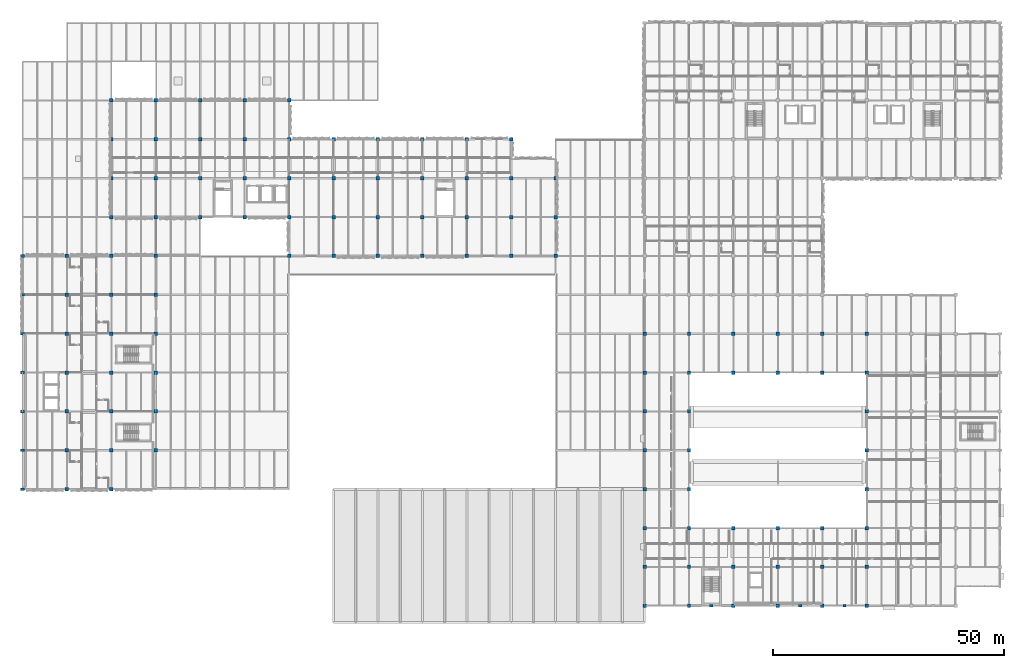
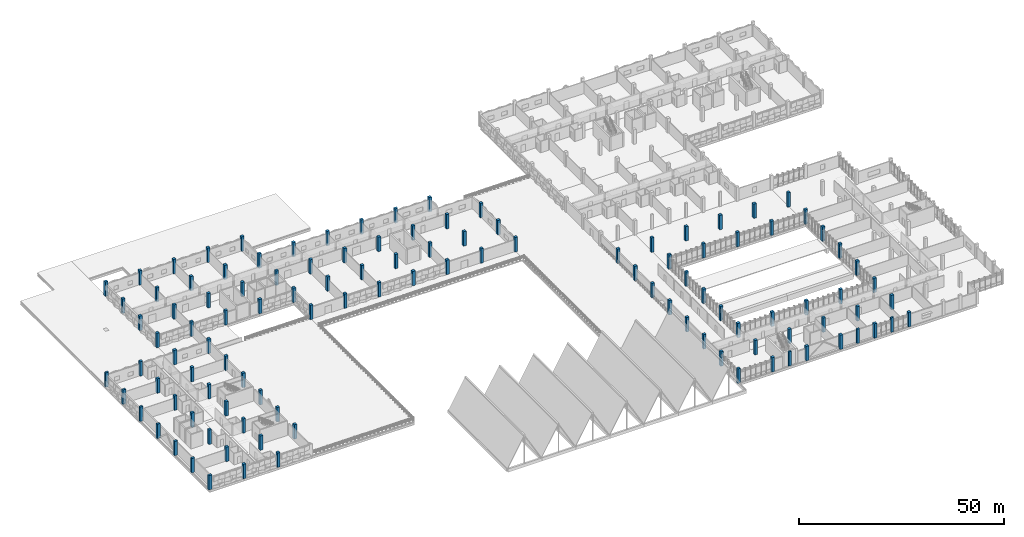
# One storey, part 1 of 86: 113 columns.
"""IFC4 building model written with IfcOpenShell, lengths in metres."""

from ifc_helpers import new_model, si_unit, direction, frame, origin, origin_2d, place, context, subcontext, project, spatial, rectangle, extrude, material, material_profile, profile_set, type_object, element, save


model = new_model("IFC4")

# Units and contexts
model_context = context("Model", 3, precision=1e-05, world=origin(), true_north=direction((0.0, 1.0)))
body_context = subcontext(model_context, "Body", "Model", "MODEL_VIEW")
ifc_project = project(units=[si_unit("LENGTHUNIT", "METRE"), si_unit("AREAUNIT", "SQUARE_METRE"), si_unit("VOLUMEUNIT", "CUBIC_METRE"), si_unit("PLANEANGLEUNIT", "RADIAN"), si_unit("MASSUNIT", "GRAM", prefix="KILO")], contexts=[model_context])

# Site, building, storey
site_placement = place(None, origin())
site = spatial("IfcSite", under=ifc_project, at=site_placement, CompositionType="ELEMENT")
building_placement = place(site_placement, origin())
building = spatial("IfcBuilding", under=site, at=building_placement, Name="Oolite Switchyard Hospital", CompositionType="ELEMENT")
storey_placement = place(building_placement, frame((0.0, 0.0, 13.5)))
storey = spatial("IfcBuildingStorey", under=building, at=storey_placement, Name="L03", CompositionType="ELEMENT", Elevation=13.5)

# Columns
ifc_material_1 = material(Name="Concrete C50/60", Category="concrete")
ifc_material_profile_1 = material_profile(ifc_material_1, rectangle(XDim=0.75, YDim=0.75, at=origin_2d()), Name="RC750X750")
ifc_profile_set_1 = profile_set([ifc_material_profile_1], Name="Concrete C50/60")
column_type_1 = type_object("IfcColumnType", Name="COL-RC750", PredefinedType="COLUMN", material=ifc_profile_set_1)
for number, where, z_axis, x_axis, name in (
    (1, (9.60009765625, 33.60009765625, 0.0), (0.0, 0.0, 1.0), (1.0, 0.0, 0.0), "L03 Column 939"),
    (2, (9.60009765625, 42.0, 0.0), (0.0, 0.0, 1.0), (1.0, 0.0, 0.0), "L03 Column 940"),
    (3, (9.60009765625, 50.39990234375, 0.0), (0.0, 0.0, 1.0), (1.0, 0.0, 0.0), "L03 Column 941"),
    (4, (9.60009765625, 58.800048828125, 0.0), (0.0, 0.0, 1.0), (1.0, 0.0, 0.0), "L03 Column 942"),
    (5, (9.60009765625, 67.199951171875, 0.0), (0.0, 0.0, 1.0), (1.0, 0.0, 0.0), "L03 Column 943"),
    (6, (9.60009765625, 75.60009765625, 0.0), (0.0, 0.0, 1.0), (1.0, 0.0, 0.0), "L03 Column 944"),
    (7, (9.60009765625, 84.0, 0.0), (0.0, 0.0, 1.0), (1.0, 0.0, 0.0), "L03 Column 945"),
    (8, (19.199951171875, 33.60009765625, 0.0), (0.0, 0.0, 1.0), (1.0, 0.0, 0.0), "L03 Column 946"),
    (9, (19.199951171875, 42.0, 0.0), (0.0, 0.0, 1.0), (1.0, 0.0, 0.0), "L03 Column 947"),
    (10, (19.199951171875, 50.39990234375, 0.0), (0.0, 0.0, 1.0), (1.0, 0.0, 0.0), "L03 Column 948"),
    (11, (19.199951171875, 58.800048828125, 0.0), (0.0, 0.0, 1.0), (1.0, 0.0, 0.0), "L03 Column 949"),
    (12, (19.199951171875, 67.199951171875, 0.0), (0.0, 0.0, 1.0), (1.0, 0.0, 0.0), "L03 Column 950"),
    (13, (19.199951171875, 75.60009765625, 0.0), (0.0, 0.0, 1.0), (1.0, 0.0, 0.0), "L03 Column 951"),
    (14, (19.199951171875, 84.0, 0.0), (0.0, 0.0, 1.0), (1.0, 0.0, 0.0), "L03 Column 952"),
    (15, (19.199951171875, 92.39990234375, 0.0), (0.0, 0.0, 1.0), (1.0, 0.0, 0.0), "L03 Column 953"),
    (16, (19.199951171875, 100.800048828125, 0.0), (0.0, 0.0, 1.0), (1.0, 0.0, 0.0), "L03 Column 954"),
    (17, (19.199951171875, 109.199951171875, 0.0), (0.0, 0.0, 1.0), (1.0, 0.0, 0.0), "L03 Column 955"),
    (18, (19.199951171875, 117.60009765625, 0.0), (0.0, 0.0, 1.0), (1.0, 0.0, 0.0), "L03 Column 956"),
    (19, (28.800048828125, 42.0, 0.0), (0.0, 0.0, 1.0), (1.0, 0.0, 0.0), "L03 Column 957"),
    (20, (28.800048828125, 50.39990234375, 0.0), (0.0, 0.0, 1.0), (1.0, 0.0, 0.0), "L03 Column 958"),
    (21, (28.800048828125, 58.800048828125, 0.0), (0.0, 0.0, 1.0), (1.0, 0.0, 0.0), "L03 Column 959"),
    (22, (28.800048828125, 67.199951171875, 0.0), (0.0, 0.0, 1.0), (1.0, 0.0, 0.0), "L03 Column 960"),
    (23, (28.800048828125, 75.60009765625, 0.0), (0.0, 0.0, 1.0), (1.0, 0.0, 0.0), "L03 Column 961"),
    (24, (28.800048828125, 84.0, 0.0), (0.0, 0.0, 1.0), (1.0, 0.0, 0.0), "L03 Column 962"),
    (25, (28.800048828125, 92.39990234375, 0.0), (0.0, 0.0, 1.0), (1.0, 0.0, 0.0), "L03 Column 963"),
    (26, (28.800048828125, 100.800048828125, 0.0), (0.0, 0.0, 1.0), (1.0, 0.0, 0.0), "L03 Column 964"),
    (27, (28.800048828125, 109.199951171875, 0.0), (0.0, 0.0, 1.0), (1.0, 0.0, 0.0), "L03 Column 965"),
    (28, (28.800048828125, 117.60009765625, 0.0), (0.0, 0.0, 1.0), (1.0, 0.0, 0.0), "L03 Column 966"),
    (29, (38.39990234375, 92.39990234375, 0.0), (0.0, 0.0, 1.0), (1.0, 0.0, 0.0), "L03 Column 967"),
    (30, (38.39990234375, 100.800048828125, 0.0), (0.0, 0.0, 1.0), (1.0, 0.0, 0.0), "L03 Column 968"),
    (31, (38.39990234375, 109.199951171875, 0.0), (0.0, 0.0, 1.0), (1.0, 0.0, 0.0), "L03 Column 969"),
    (32, (38.39990234375, 117.60009765625, 0.0), (0.0, 0.0, 1.0), (1.0, 0.0, 0.0), "L03 Column 970"),
    (33, (48.0, 92.39990234375, 0.0), (0.0, 0.0, 1.0), (1.0, 0.0, 0.0), "L03 Column 971"),
    (34, (48.0, 100.800048828125, 0.0), (0.0, 0.0, 1.0), (1.0, 0.0, 0.0), "L03 Column 972"),
    (35, (48.0, 109.199951171875, 0.0), (0.0, 0.0, 1.0), (1.0, 0.0, 0.0), "L03 Column 973"),
    (36, (48.0, 117.60009765625, 0.0), (0.0, 0.0, 1.0), (1.0, 0.0, 0.0), "L03 Column 974"),
    (37, (57.60009765625, 84.0, 0.0), (0.0, 0.0, 1.0), (1.0, 0.0, 0.0), "L03 Column 975"),
    (38, (57.60009765625, 92.39990234375, 0.0), (0.0, 0.0, 1.0), (1.0, 0.0, 0.0), "L03 Column 976"),
    (39, (57.60009765625, 100.800048828125, 0.0), (0.0, 0.0, 1.0), (1.0, 0.0, 0.0), "L03 Column 977"),
    (40, (57.60009765625, 109.199951171875, 0.0), (0.0, 0.0, 1.0), (1.0, 0.0, 0.0), "L03 Column 978"),
    (41, (57.60009765625, 117.60009765625, 0.0), (0.0, 0.0, 1.0), (1.0, 0.0, 0.0), "L03 Column 979"),
    (42, (67.199951171875, 84.0, 0.0), (0.0, 0.0, 1.0), (1.0, 0.0, 0.0), "L03 Column 980"),
    (43, (67.199951171875, 92.39990234375, 0.0), (0.0, 0.0, 1.0), (1.0, 0.0, 0.0), "L03 Column 981"),
    (44, (67.199951171875, 100.800048828125, 0.0), (0.0, 0.0, 1.0), (1.0, 0.0, 0.0), "L03 Column 982"),
    (45, (67.199951171875, 109.199951171875, 0.0), (0.0, 0.0, 1.0), (1.0, 0.0, 0.0), "L03 Column 983"),
    (46, (76.800048828125, 84.0, 0.0), (0.0, 0.0, 1.0), (1.0, 0.0, 0.0), "L03 Column 984"),
    (47, (76.800048828125, 92.39990234375, 0.0), (0.0, 0.0, 1.0), (1.0, 0.0, 0.0), "L03 Column 985"),
    (48, (76.800048828125, 100.800048828125, 0.0), (0.0, 0.0, 1.0), (1.0, 0.0, 0.0), "L03 Column 986"),
    (49, (76.800048828125, 109.199951171875, 0.0), (0.0, 0.0, 1.0), (1.0, 0.0, 0.0), "L03 Column 987"),
    (50, (86.39990234375, 84.0, 0.0), (0.0, 0.0, 1.0), (1.0, 0.0, 0.0), "L03 Column 988"),
    (51, (86.39990234375, 92.39990234375, 0.0), (0.0, 0.0, 1.0), (1.0, 0.0, 0.0), "L03 Column 989"),
    (52, (86.39990234375, 100.800048828125, 0.0), (0.0, 0.0, 1.0), (1.0, 0.0, 0.0), "L03 Column 990"),
    (53, (86.39990234375, 109.199951171875, 0.0), (0.0, 0.0, 1.0), (1.0, 0.0, 0.0), "L03 Column 991"),
    (54, (96.0, 84.0, 0.0), (0.0, 0.0, 1.0), (1.0, 0.0, 0.0), "L03 Column 992"),
    (55, (96.0, 92.39990234375, 0.0), (0.0, 0.0, 1.0), (1.0, 0.0, 0.0), "L03 Column 993"),
    (56, (96.0, 100.800048828125, 0.0), (0.0, 0.0, 1.0), (1.0, 0.0, 0.0), "L03 Column 994"),
    (57, (96.0, 109.199951171875, 0.0), (0.0, 0.0, 1.0), (1.0, 0.0, 0.0), "L03 Column 995"),
    (58, (105.60009765625, 84.0, 0.0), (0.0, 0.0, 1.0), (1.0, 0.0, 0.0), "L03 Column 996"),
    (59, (105.60009765625, 92.39990234375, 0.0), (0.0, 0.0, 1.0), (1.0, 0.0, 0.0), "L03 Column 997"),
    (60, (105.60009765625, 100.800048828125, 0.0), (0.0, 0.0, 1.0), (1.0, 0.0, 0.0), "L03 Column 998"),
    (61, (105.60009765625, 109.199951171875, 0.0), (0.0, 0.0, 1.0), (1.0, 0.0, 0.0), "L03 Column 999"),
    (62, (115.199951171875, 84.0, 0.0), (0.0, 0.0, 1.0), (1.0, 0.0, 0.0), "L03 Column 1000"),
    (63, (115.199951171875, 92.39990234375, 0.0), (0.0, 0.0, 1.0), (1.0, 0.0, 0.0), "L03 Column 1001"),
    (64, (115.199951171875, 100.800048828125, 0.0), (0.0, 0.0, 1.0), (1.0, 0.0, 0.0), "L03 Column 1002"),
    (65, (134.39990234375, 8.39990234375, 0.0), (0.0, 0.0, 1.0), (1.0, 0.0, 0.0), "L03 Column 1003"),
    (66, (134.39990234375, 16.800048828125, 0.0), (0.0, 0.0, 1.0), (1.0, 0.0, 0.0), "L03 Column 1004"),
    (67, (134.39990234375, 25.199951171875, 0.0), (0.0, 0.0, 1.0), (1.0, 0.0, 0.0), "L03 Column 1005"),
    (68, (134.39990234375, 33.60009765625, 0.0), (0.0, 0.0, 1.0), (1.0, 0.0, 0.0), "L03 Column 1006"),
    (69, (134.39990234375, 42.0, 0.0), (0.0, 0.0, 1.0), (1.0, 0.0, 0.0), "L03 Column 1007"),
    (70, (134.39990234375, 50.39990234375, 0.0), (0.0, 0.0, 1.0), (1.0, 0.0, 0.0), "L03 Column 1008"),
    (71, (134.39990234375, 58.800048828125, 0.0), (0.0, 0.0, 1.0), (1.0, 0.0, 0.0), "L03 Column 1009"),
    (72, (134.39990234375, 67.199951171875, 0.0), (0.0, 0.0, 1.0), (1.0, 0.0, 0.0), "L03 Column 1010"),
    (73, (144.0, 8.39990234375, 0.0), (0.0, 0.0, 1.0), (1.0, 0.0, 0.0), "L03 Column 1019"),
    (74, (144.0, 16.800048828125, 0.0), (0.0, 0.0, 1.0), (1.0, 0.0, 0.0), "L03 Column 1020"),
    (75, (144.0, 25.199951171875, 0.0), (0.0, 0.0, 1.0), (1.0, 0.0, 0.0), "L03 Column 1021"),
    (76, (144.0, 33.60009765625, 0.0), (0.0, 0.0, 1.0), (1.0, 0.0, 0.0), "L03 Column 1022"),
    (77, (144.0, 42.0, 0.0), (0.0, 0.0, 1.0), (1.0, 0.0, 0.0), "L03 Column 1023"),
    (78, (144.0, 50.39990234375, 0.0), (0.0, 0.0, 1.0), (1.0, 0.0, 0.0), "L03 Column 1024"),
    (79, (144.0, 58.800048828125, 0.0), (0.0, 0.0, 1.0), (1.0, 0.0, 0.0), "L03 Column 1025"),
    (80, (144.0, 67.199951171875, 0.0), (0.0, 0.0, 1.0), (1.0, 0.0, 0.0), "L03 Column 1026"),
    (81, (153.60009765625, 8.39990234375, 0.0), (0.0, 0.0, 1.0), (1.0, 0.0, 0.0), "L03 Column 1035"),
    (82, (153.60009765625, 16.800048828125, 0.0), (0.0, 0.0, 1.0), (1.0, 0.0, 0.0), "L03 Column 1036"),
    (83, (153.60009765625, 25.199951171875, 0.0), (0.0, 0.0, 1.0), (1.0, 0.0, 0.0), "L03 Column 1037"),
    (84, (153.60009765625, 58.800048828125, 0.0), (0.0, 0.0, 1.0), (1.0, 0.0, 0.0), "L03 Column 1038"),
    (85, (153.60009765625, 67.199951171875, 0.0), (0.0, 0.0, 1.0), (1.0, 0.0, 0.0), "L03 Column 1039"),
    (86, (163.199951171875, 8.39990234375, 0.0), (0.0, 0.0, 1.0), (1.0, 0.0, 0.0), "L03 Column 1048"),
    (87, (163.199951171875, 16.800048828125, 0.0), (0.0, 0.0, 1.0), (1.0, 0.0, 0.0), "L03 Column 1049"),
    (88, (163.199951171875, 25.199951171875, 0.0), (0.0, 0.0, 1.0), (1.0, 0.0, 0.0), "L03 Column 1050"),
    (89, (163.199951171875, 58.800048828125, 0.0), (0.0, 0.0, 1.0), (1.0, 0.0, 0.0), "L03 Column 1051"),
    (90, (163.199951171875, 67.199951171875, 0.0), (0.0, 0.0, 1.0), (1.0, 0.0, 0.0), "L03 Column 1052"),
    (91, (172.800048828125, 8.39990234375, 0.0), (0.0, 0.0, 1.0), (1.0, 0.0, 0.0), "L03 Column 1061"),
    (92, (172.800048828125, 16.800048828125, 0.0), (0.0, 0.0, 1.0), (1.0, 0.0, 0.0), "L03 Column 1062"),
    (93, (172.800048828125, 25.199951171875, 0.0), (0.0, 0.0, 1.0), (1.0, 0.0, 0.0), "L03 Column 1063"),
    (94, (172.800048828125, 58.800048828125, 0.0), (0.0, 0.0, 1.0), (1.0, 0.0, 0.0), "L03 Column 1064"),
    (95, (172.800048828125, 67.199951171875, 0.0), (0.0, 0.0, 1.0), (1.0, 0.0, 0.0), "L03 Column 1065"),
    (96, (182.39990234375, 8.39990234375, 0.0), (0.0, 0.0, 1.0), (1.0, 0.0, 0.0), "L03 Column 1074"),
    (97, (182.39990234375, 16.800048828125, 0.0), (0.0, 0.0, 1.0), (1.0, 0.0, 0.0), "L03 Column 1075"),
    (98, (182.39990234375, 25.199951171875, 0.0), (0.0, 0.0, 1.0), (1.0, 0.0, 0.0), "L03 Column 1076"),
    (99, (182.39990234375, 33.60009765625, 0.0), (0.0, 0.0, 1.0), (1.0, 0.0, 0.0), "L03 Column 1077"),
    (100, (182.39990234375, 42.0, 0.0), (0.0, 0.0, 1.0), (1.0, 0.0, 0.0), "L03 Column 1078"),
    (101, (182.39990234375, 50.39990234375, 0.0), (0.0, 0.0, 1.0), (1.0, 0.0, 0.0), "L03 Column 1079"),
    (102, (182.39990234375, 58.800048828125, 0.0), (0.0, 0.0, 1.0), (1.0, 0.0, 0.0), "L03 Column 1080"),
    (103, (182.39990234375, 67.199951171875, 0.0), (0.0, 0.0, 1.0), (1.0, 0.0, 0.0), "L03 Column 1081"),
):
    element("IfcColumn", number, at=place(storey_placement, frame(where, z_axis=z_axis, x_axis=x_axis)), inside=storey, type_object=column_type_1, Name=name, PredefinedType="COLUMN", context=body_context, shape_type="SweptSolid", body=[
        extrude(rectangle(XDim=0.75, YDim=0.75, at=origin_2d()), origin(), (0.0, 0.0, 1.0), 4.300048828125),
    ])
ifc_material_profile_2 = material_profile(ifc_material_1, rectangle(XDim=0.85009765625, YDim=0.60009765625, at=origin_2d()), Name="RC850X600")
ifc_profile_set_2 = profile_set([ifc_material_profile_2], Name="Concrete C50/60")
column_type_2 = type_object("IfcColumnType", Name="COL-RCR850", PredefinedType="COLUMN", material=ifc_profile_set_2)
for number, where, z_axis, x_axis, name in (
    (104, (0.0, 33.60009765625, 0.0), (0.0, 0.0, 1.0), (1.0, 0.0, 0.0), "L03 Column 932"),
    (105, (0.0, 42.0, 0.0), (0.0, 0.0, 1.0), (1.0, 0.0, 0.0), "L03 Column 933"),
    (106, (0.0, 50.39990234375, 0.0), (0.0, 0.0, 1.0), (1.0, 0.0, 0.0), "L03 Column 934"),
    (107, (0.0, 58.800048828125, 0.0), (0.0, 0.0, 1.0), (1.0, 0.0, 0.0), "L03 Column 935"),
    (108, (0.0, 67.199951171875, 0.0), (0.0, 0.0, 1.0), (1.0, 0.0, 0.0), "L03 Column 936"),
    (109, (0.0, 75.60009765625, 0.0), (0.0, 0.0, 1.0), (1.0, 0.0, 0.0), "L03 Column 937"),
    (110, (0.0, 84.0, 0.0), (0.0, 0.0, 1.0), (1.0, 0.0, 0.0), "L03 Column 938"),
):
    element("IfcColumn", number, at=place(storey_placement, frame(where, z_axis=z_axis, x_axis=x_axis)), inside=storey, type_object=column_type_2, Name=name, PredefinedType="COLUMN", context=body_context, shape_type="SweptSolid", body=[
        extrude(rectangle(XDim=0.85009765625, YDim=0.60009765625, at=origin_2d()), origin(), (0.0, 0.0, 1.0), 4.300048828125),
    ])
ifc_material_2 = material(Name="Precast concrete C40/50", Category="concrete")
ifc_material_profile_3 = material_profile(ifc_material_2, rectangle(XDim=0.75, YDim=0.5, at=origin_2d()), Name="PIL750X500")
ifc_profile_set_3 = profile_set([ifc_material_profile_3], Name="Precast concrete C40/50")
column_type_3 = type_object("IfcColumnType", Name="PIL-750X500", PredefinedType="PILASTER", material=ifc_profile_set_3)
for number, where, z_axis, x_axis, name in (
    (111, (148.800048828125, 8.39990234375, 0.0), (0.0, 0.0, 1.0), (1.0, 0.0, 0.0), "L03 Classical Pilaster 46"),
    (112, (168.0, 8.39990234375, 0.0), (0.0, 0.0, 1.0), (1.0, 0.0, 0.0), "L03 Classical Pilaster 47"),
    (113, (177.60009765625, 8.39990234375, 0.0), (0.0, 0.0, 1.0), (1.0, 0.0, 0.0), "L03 Classical Pilaster 48"),
):
    element("IfcColumn", number, at=place(storey_placement, frame(where, z_axis=z_axis, x_axis=x_axis)), inside=storey, type_object=column_type_3, Name=name, PredefinedType="PILASTER", context=body_context, shape_type="SweptSolid", body=[
        extrude(rectangle(XDim=0.75, YDim=0.5, at=origin_2d()), origin(), (0.0, 0.0, 1.0), 4.300048828125),
    ])

save(model, "model.ifc")
